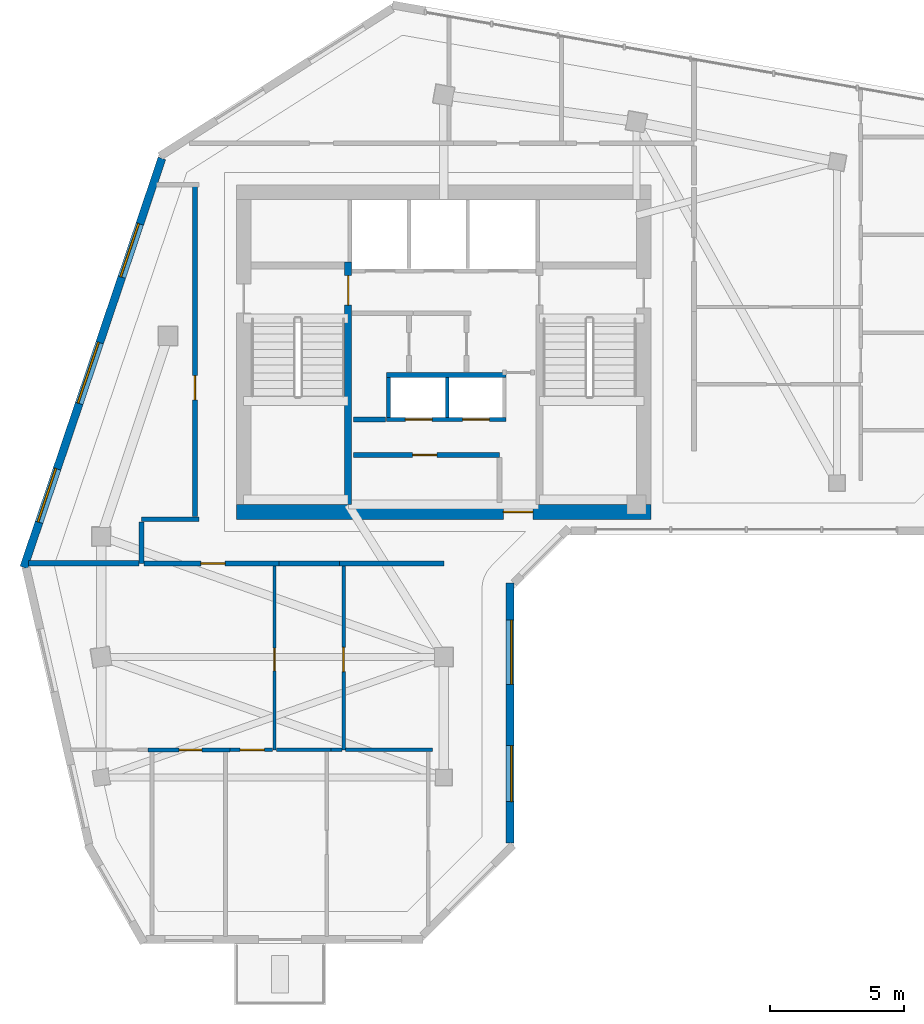
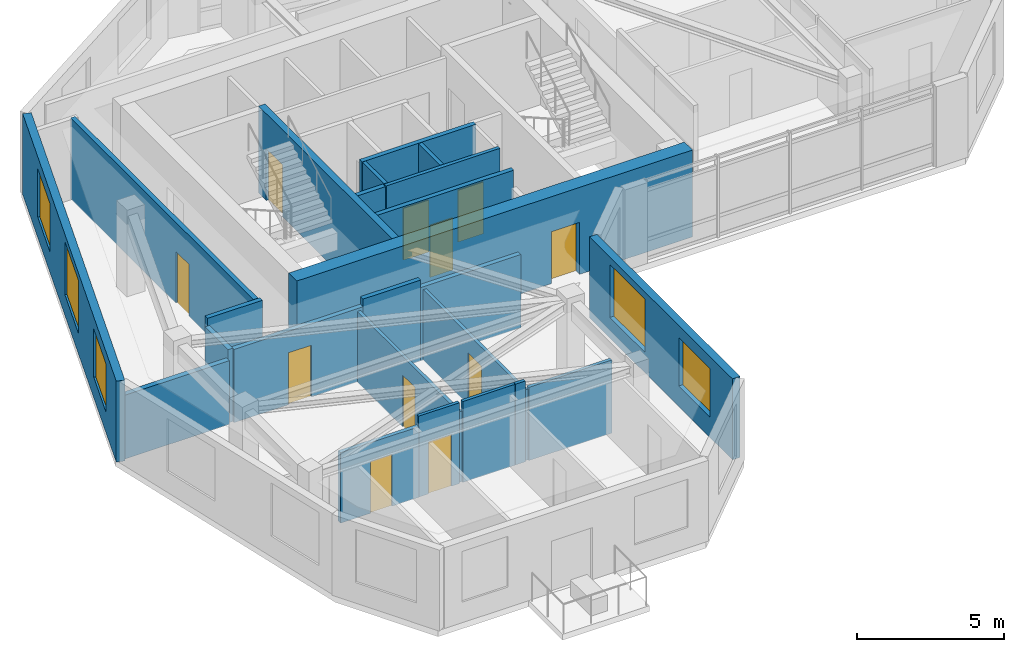
# One storey, part 4 of 10: 24 walls, 11 doors, 5 windows, 16 openings.
"""IFC4 building model written with IfcOpenShell, lengths in metres."""

from ifc_helpers import new_model, si_unit, direction, frame, frame_2d, origin, place, context, subcontext, project, spatial, rectangle, extrude, source, transform, mapped, material, layer, layer_set, type_object, element, fill, save


model = new_model("IFC4")

# Units and contexts
model_context = context("Model", 3, precision=1e-05, world=origin(), true_north=direction((0.0, 1.0)))
body_context = subcontext(model_context, "Body", "Model", "MODEL_VIEW")
ifc_project = project(units=[si_unit("LENGTHUNIT", "METRE"), si_unit("AREAUNIT", "SQUARE_METRE"), si_unit("VOLUMEUNIT", "CUBIC_METRE"), si_unit("PLANEANGLEUNIT", "RADIAN"), si_unit("MASSUNIT", "GRAM", prefix="KILO")], contexts=[model_context])

# Site, building, storey
site_placement = place(None, origin())
site = spatial("IfcSite", under=ifc_project, at=site_placement, CompositionType="ELEMENT")
building_placement = place(site_placement, origin())
building = spatial("IfcBuilding", under=site, at=building_placement, Name="Calvemar Wedge Station Tower", CompositionType="ELEMENT")
storey_placement = place(building_placement, frame((0.0, 0.0, 256.5)))
storey = spatial("IfcBuildingStorey", under=building, at=storey_placement, Name="L65", CompositionType="ELEMENT", Elevation=256.5)

# Wall, opening, door
ifc_material_1 = material(Name="Concrete C50", Category="concrete")
ifc_layer_1 = layer(ifc_material_1, 0.260009765625)
ifc_layer_set_1 = layer_set([ifc_layer_1], Name="Concrete C50")
wall_type_1 = type_object("IfcWallType", Name="SW-CORE-260", PredefinedType="SHEAR", material=ifc_layer_set_1)
wall_1_placement = place(storey_placement, frame((20.22998046875, 34.199951171875, 0.0), z_axis=(0.0, 0.0, 1.0), x_axis=(0.0, 1.0, 0.0)))
wall_1 = element("IfcWall", 1, at=wall_1_placement, inside=storey, type_object=wall_type_1, Name="Storey L65 Core Shear Wall SPINE-W", PredefinedType="SHEAR", context=body_context, shape_type="SweptSolid", body=[
    extrude(rectangle(XDim=9.06005859375, YDim=0.260009765625, at=frame_2d((4.530029296875, 0.0))), origin(), (0.0, 0.0, 1.0), 3.60009765625),
])
shared_shape_1 = source(origin(), body_context, "Body", "SweptSolid", [
    extrude(rectangle(XDim=1.10009765625, YDim=2.14990234375, at=frame_2d((0.550048828125, 1.074951171875))), frame((0.0, 0.14013671875, 0.0), z_axis=(0.0, -1.0, 0.0), x_axis=(1.0, 0.0, 0.0)), (0.0, 0.0, 1.0), 0.280029296875),
])
opening_1_placement = place(wall_1_placement, frame((7.449951171875, 0.0, 0.0)))
opening_1 = element("IfcOpeningElement", 2, at=opening_1_placement, cuts=wall_1, Name="Opening FD-90", PredefinedType="OPENING", context=body_context, shape_type="MappedRepresentation", body=[
    mapped(shared_shape_1, transform((0.0, 0.0, 0.0), scale=1.0)),
])
ifc_material_2 = material(Name="Galvanized fire-rated steel door leaf P-90", Category="steel")
door_type_1 = type_object("IfcDoorType", Name="DR-FD90-1100", OperationType="NOTDEFINED", PredefinedType="DOOR", material=ifc_material_2)
shared_shape_2 = source(origin(), body_context, "Body", "SweptSolid", [
    extrude(rectangle(XDim=1.10009765625, YDim=2.14990234375, at=frame_2d((0.550048828125, 1.074951171875))), frame((0.0, 0.02490234375, 0.0), z_axis=(0.0, -1.0, 0.0), x_axis=(1.0, 0.0, 0.0)), (0.0, 0.0, 1.0), 0.050048828125),
])
door_1_placement = place(opening_1_placement, origin())
door_1 = element("IfcDoor", 3, at=door_1_placement, inside=storey, type_object=door_type_1, Name="L65 FF Lobby to Stair ST-C1 Door", OperationType="SINGLE_SWING_RIGHT", OverallHeight=2.14990234375, OverallWidth=1.10009765625, PredefinedType="DOOR", context=body_context, shape_type="MappedRepresentation", body=[
    mapped(shared_shape_2, transform((0.0, 0.0, 0.0), scale=1.0)),
])
fill(opening_1, door_1)

ifc_material_3 = material(Name="Concrete C60", Category="concrete")
ifc_layer_2 = layer(ifc_material_3, 0.550048828125)
ifc_layer_set_2 = layer_set([ifc_layer_2], Name="Concrete C60")
wall_type_2 = type_object("IfcWallType", Name="SW-CORE-550", PredefinedType="SHEAR", material=ifc_layer_set_2)
wall_2_placement = place(storey_placement, frame((16.050048828125, 33.925048828125, 0.0), z_axis=(0.0, 0.0, 1.0), x_axis=(1.0, 0.0, 0.0)))
wall_2 = element("IfcWall", 4, at=wall_2_placement, inside=storey, type_object=wall_type_2, Name="Storey L65 Core Shear Wall S", PredefinedType="SHEAR", context=body_context, shape_type="SweptSolid", body=[
    extrude(rectangle(XDim=15.5, YDim=0.550048828125, at=frame_2d((7.75, 0.0))), origin(), (0.0, 0.0, 1.0), 3.60009765625),
])
shared_shape_3 = source(origin(), body_context, "Body", "SweptSolid", [
    extrude(rectangle(XDim=1.10009765625, YDim=2.14990234375, at=frame_2d((0.550048828125, 1.074951171875))), frame((0.0, 0.28515625, 0.0), z_axis=(0.0, -1.0, 0.0), x_axis=(1.0, 0.0, 0.0)), (0.0, 0.0, 1.0), 0.570068359375),
])
opening_2_placement = place(wall_2_placement, frame((9.97998046875, 0.0, 0.0)))
opening_2 = element("IfcOpeningElement", 5, at=opening_2_placement, cuts=wall_2, Name="Opening FD-90", PredefinedType="OPENING", context=body_context, shape_type="MappedRepresentation", body=[
    mapped(shared_shape_3, transform((0.0, 0.0, 0.0), scale=1.0)),
])
door_2_placement = place(opening_2_placement, origin())
door_2 = element("IfcDoor", 6, at=door_2_placement, inside=storey, type_object=door_type_1, Name="L65 Passenger Lift Lobby Door", OperationType="SINGLE_SWING_RIGHT", OverallHeight=2.14990234375, OverallWidth=1.10009765625, PredefinedType="DOOR", context=body_context, shape_type="MappedRepresentation", body=[
    mapped(shared_shape_2, transform((0.0, 0.0, 0.0), scale=1.0)),
])
fill(opening_2, door_2)

# Wall
ifc_material_4 = material(Name="Double-stud fire-rated corridor partition")
ifc_layer_3 = layer(ifc_material_4, 0.179931640625)
ifc_layer_set_3 = layer_set([ifc_layer_3], Name="Double-stud fire-rated corridor partition")
wall_type_3 = type_object("IfcWallType", Name="W-CORR-180", PredefinedType="PARTITIONING", material=ifc_layer_set_3)
wall_3_placement = place(storey_placement, frame((21.6298828125, 37.3798828125, 0.0), z_axis=(0.0, 0.0, 1.0), x_axis=(-1.0, 0.0, 0.0)))
element("IfcWall", 7, at=wall_3_placement, inside=storey, type_object=wall_type_3, Name="Storey L65 Interior Partition WL-L65-004", PredefinedType="PARTITIONING", context=body_context, shape_type="SweptSolid", body=[
    extrude(rectangle(XDim=1.2099609375, YDim=0.179931640625, at=frame_2d((0.60498046875, 0.0))), origin(), (0.0, 0.0, 1.0), 3.35009765625),
])

# Wall, opening, door
wall_4_placement = place(storey_placement, frame((20.419921875, 36.050048828125, 0.0), z_axis=(0.0, 0.0, 1.0), x_axis=(1.0, 0.0, 0.0)))
wall_4 = element("IfcWall", 8, at=wall_4_placement, inside=storey, type_object=wall_type_3, Name="Storey L65 Interior Partition WL-L65-007", PredefinedType="PARTITIONING", context=body_context, shape_type="SweptSolid", body=[
    extrude(rectangle(XDim=5.4599609375, YDim=0.179931640625, at=frame_2d((2.72998046875, 0.0))), origin(), (0.0, 0.0, 1.0), 3.35009765625),
])
shared_shape_4 = source(origin(), body_context, "Body", "SweptSolid", [
    extrude(rectangle(XDim=0.89990234375, YDim=2.14990234375, at=frame_2d((0.449951171875, 1.074951171875))), frame((0.0, 0.10009765625, 0.0), z_axis=(0.0, -1.0, 0.0), x_axis=(1.0, 0.0, 0.0)), (0.0, 0.0, 1.0), 0.199951171875),
])
opening_3_placement = place(wall_4_placement, frame((2.219482421875, 0.0, 0.0)))
opening_3 = element("IfcOpeningElement", 9, at=opening_3_placement, cuts=wall_4, Name="Opening FD-60", PredefinedType="OPENING", context=body_context, shape_type="MappedRepresentation", body=[
    mapped(shared_shape_4, transform((0.0, 0.0, 0.0), scale=1.0)),
])
ifc_material_5 = material(Name="Fire-rated acoustic timber-core entrance door EI 60", Category="wood")
door_type_2 = type_object("IfcDoorType", Name="DR-FD60-900", OperationType="NOTDEFINED", PredefinedType="DOOR", material=ifc_material_5)
shared_shape_5 = source(origin(), body_context, "Body", "SweptSolid", [
    extrude(rectangle(XDim=0.89990234375, YDim=2.14990234375, at=frame_2d((0.449951171875, 1.074951171875))), frame((0.0, 0.02490234375, 0.0), z_axis=(0.0, -1.0, 0.0), x_axis=(1.0, 0.0, 0.0)), (0.0, 0.0, 1.0), 0.050048828125),
])
door_3_placement = place(opening_3_placement, origin())
door_3 = element("IfcDoor", 10, at=door_3_placement, inside=storey, type_object=door_type_2, Name="L65 Wine and Parcel Store Door", OperationType="SINGLE_SWING_RIGHT", OverallHeight=2.14990234375, OverallWidth=0.89990234375, PredefinedType="DOOR", context=body_context, shape_type="MappedRepresentation", body=[
    mapped(shared_shape_5, transform((0.0, 0.0, 0.0), scale=1.0)),
])
fill(opening_3, door_3)

# Walls
wall_5_placement = place(storey_placement, frame((12.5, 33.64990234375, 0.0), z_axis=(0.0, 0.0, 1.0), x_axis=(1.0, 0.0, 0.0)))
element("IfcWall", 11, at=wall_5_placement, inside=storey, type_object=wall_type_3, Name="Storey L65 Interior Partition WL-L65-009", PredefinedType="PARTITIONING", context=body_context, shape_type="SweptSolid", body=[
    extrude(rectangle(XDim=2.159912109375, YDim=0.179931640625, at=frame_2d((1.080078125, 0.0))), origin(), (0.0, 0.0, 1.0), 3.35009765625),
])
wall_6_placement = place(storey_placement, frame((12.5, 32.0, 0.0), z_axis=(0.0, 0.0, 1.0), x_axis=(0.0, 1.0, 0.0)))
element("IfcWall", 12, at=wall_6_placement, inside=storey, type_object=wall_type_3, Name="Storey L65 Interior Partition WL-L65-010", PredefinedType="PARTITIONING", context=body_context, shape_type="SweptSolid", body=[
    extrude(rectangle(XDim=1.555908203125, YDim=0.179931640625, at=frame_2d((0.77783203125, 0.0))), origin(), (0.0, 0.0, 1.0), 3.033935546875),
])
wall_7_placement = place(storey_placement, frame((23.818115234375, 32.0, 0.0), z_axis=(0.0, 0.0, 1.0), x_axis=(-1.0, 0.0, 0.0)))
element("IfcWall", 13, at=wall_7_placement, inside=storey, type_object=wall_type_3, Name="Storey L65 Interior Partition WL-L65-011", PredefinedType="PARTITIONING", context=body_context, shape_type="SweptSolid", body=[
    extrude(rectangle(XDim=3.920166015625, YDim=0.179931640625, at=frame_2d((1.9599609375, 0.0))), origin(), (0.0, 0.0, 1.0), 3.033935546875),
])

# Wall, opening, door
wall_8_placement = place(storey_placement, frame((17.635009765625, 32.0, 0.0), z_axis=(0.0, 0.0, 1.0), x_axis=(-1.0, 0.0, 0.0)))
wall_8 = element("IfcWall", 14, at=wall_8_placement, inside=storey, type_object=wall_type_3, Name="Storey L65 Interior Partition WL-L65-012", PredefinedType="PARTITIONING", context=body_context, shape_type="SweptSolid", body=[
    extrude(rectangle(XDim=5.041015625, YDim=0.179931640625, at=frame_2d((2.5205078125, 0.0))), origin(), (0.0, 0.0, 1.0), 3.033935546875),
])
opening_4_placement = place(wall_8_placement, frame((2.0087890625, 0.0, 0.0)))
opening_4 = element("IfcOpeningElement", 15, at=opening_4_placement, cuts=wall_8, Name="Opening FD-60", PredefinedType="OPENING", context=body_context, shape_type="MappedRepresentation", body=[
    mapped(shared_shape_4, transform((0.0, 0.0, 0.0), scale=1.0)),
])
door_4_placement = place(opening_4_placement, origin())
door_4 = element("IfcDoor", 16, at=door_4_placement, inside=storey, type_object=door_type_2, Name="L65 Living Dining Door", OperationType="SINGLE_SWING_RIGHT", OverallHeight=2.14990234375, OverallWidth=0.89990234375, PredefinedType="DOOR", context=body_context, shape_type="MappedRepresentation", body=[
    mapped(shared_shape_5, transform((0.0, 0.0, 0.0), scale=1.0)),
])
fill(opening_4, door_4)

# Wall
wall_9_placement = place(storey_placement, frame((19.89599609375, 32.0, 0.0), z_axis=(0.0, 0.0, 1.0), x_axis=(-1.0, 0.0, 0.0)))
element("IfcWall", 17, at=wall_9_placement, inside=storey, type_object=wall_type_3, Name="Storey L65 Interior Partition WL-L65-013", PredefinedType="PARTITIONING", context=body_context, shape_type="SweptSolid", body=[
    extrude(rectangle(XDim=2.259033203125, YDim=0.179931640625, at=frame_2d((1.12939453125, 0.0))), origin(), (0.0, 0.0, 1.0), 3.35009765625),
])

# Wall, opening, door
wall_10_placement = place(storey_placement, frame((14.5, 33.743896484375, 0.0), z_axis=(0.0, 0.0, 1.0), x_axis=(0.0, 1.0, 0.0)))
wall_10 = element("IfcWall", 18, at=wall_10_placement, inside=storey, type_object=wall_type_3, Name="Storey L65 Interior Partition WL-L65-014", PredefinedType="PARTITIONING", context=body_context, shape_type="SweptSolid", body=[
    extrude(rectangle(XDim=12.406005859375, YDim=0.179931640625, at=frame_2d((6.203125, 0.0))), origin(), (0.0, 0.0, 1.0), 3.35009765625),
])
opening_5_placement = place(wall_10_placement, frame((4.36962890625, 0.0, 0.0)))
opening_5 = element("IfcOpeningElement", 19, at=opening_5_placement, cuts=wall_10, Name="Opening D-01", PredefinedType="OPENING", context=body_context, shape_type="MappedRepresentation", body=[
    mapped(shared_shape_4, transform((0.0, 0.0, 0.0), scale=1.0)),
])
ifc_material_6 = material(Name="Architectural hardwood acoustic swing door", Category="wood")
door_type_3 = type_object("IfcDoorType", Name="DR-INT-900", OperationType="NOTDEFINED", PredefinedType="DOOR", material=ifc_material_6)
shared_shape_6 = source(origin(), body_context, "Body", "SweptSolid", [
    extrude(rectangle(XDim=0.89990234375, YDim=2.14990234375, at=frame_2d((0.449951171875, 1.074951171875))), frame((0.0, 0.02490234375, 0.0), z_axis=(0.0, -1.0, 0.0), x_axis=(1.0, 0.0, 0.0)), (0.0, 0.0, 1.0), 0.050048828125),
])
door_5_placement = place(opening_5_placement, origin())
door_5 = element("IfcDoor", 20, at=door_5_placement, inside=storey, type_object=door_type_3, Name="L65 Resident Reading Lounge Door", OperationType="SINGLE_SWING_LEFT", OverallHeight=2.14990234375, OverallWidth=0.89990234375, PredefinedType="DOOR", context=body_context, shape_type="MappedRepresentation", body=[
    mapped(shared_shape_6, transform((0.0, 0.0, 0.0), scale=1.0)),
])
fill(opening_5, door_5)

# Wall
ifc_material_7 = material(Name="Twin-stud fire-rated inter-tenancy wall")
ifc_layer_4 = layer(ifc_material_7, 0.199951171875)
ifc_layer_set_4 = layer_set([ifc_layer_4], Name="Twin-stud fire-rated inter-tenancy wall")
wall_type_4 = type_object("IfcWallType", Name="W-DEMISE-200", PredefinedType="PARTITIONING", material=ifc_layer_set_4)
wall_11_placement = place(storey_placement, frame((12.406005859375, 32.0, 0.0), z_axis=(0.0, 0.0, 1.0), x_axis=(-1.0, 0.0, 0.0)))
element("IfcWall", 21, at=wall_11_placement, inside=storey, type_object=wall_type_4, Name="Storey L65 Interior Partition WL-L65-023", PredefinedType="PARTITIONING", context=body_context, shape_type="SweptSolid", body=[
    extrude(rectangle(XDim=4.126220703125, YDim=0.199951171875, at=frame_2d((2.06298828125, 0.0))), origin(), (0.0, 0.0, 1.0), 2.64208984375),
])

# Wall, openings, windows
ifc_material_8 = material(Name="Precast concrete C45", Category="concrete")
ifc_layer_5 = layer(ifc_material_8, 0.300048828125)
ifc_layer_set_5 = layer_set([ifc_layer_5], Name="Precast concrete C45")
wall_type_5 = type_object("IfcWallType", Name="W-EXT-GFRC-300", PredefinedType="SOLIDWALL", material=ifc_layer_set_5)
wall_12_placement = place(storey_placement, frame((26.281982421875, 21.557373046875, 0.0), z_axis=(0.0, 0.0, 1.0), x_axis=(0.0, 1.0, 0.0)))
wall_12 = element("IfcWall", 22, at=wall_12_placement, inside=storey, type_object=wall_type_5, Name="Storey L65 Bronze GFRC Exterior Wall 4", PredefinedType="SOLIDWALL", context=body_context, shape_type="SweptSolid", body=[
    extrude(rectangle(XDim=9.710693359375, YDim=0.300048828125, at=frame_2d((4.85546875, 0.0))), origin(), (0.0, 0.0, 1.0), 3.35009765625),
])
shared_shape_7 = source(origin(), body_context, "Body", "SweptSolid", [
    extrude(rectangle(XDim=2.10009765625, YDim=2.0, at=frame_2d((1.050048828125, 1.0))), frame((0.0, 0.16015625, 0.0), z_axis=(0.0, -1.0, 0.0), x_axis=(1.0, 0.0, 0.0)), (0.0, 0.0, 1.0), 0.320068359375),
])
opening_6_placement = place(wall_12_placement, frame((1.5380859375, 0.0, 0.85009765625)))
opening_6 = element("IfcOpeningElement", 23, at=opening_6_placement, cuts=wall_12, Name="Opening W4", PredefinedType="OPENING", context=body_context, shape_type="MappedRepresentation", body=[
    mapped(shared_shape_7, transform((0.0, 0.0, 0.0), scale=1.0)),
])
shared_shape_8 = source(origin(), body_context, "Body", "SweptSolid", [
    extrude(rectangle(XDim=2.39990234375, YDim=2.199951171875, at=frame_2d((1.199951171875, 1.10009765625))), frame((0.0, 0.16015625, 0.0), z_axis=(0.0, -1.0, 0.0), x_axis=(1.0, 0.0, 0.0)), (0.0, 0.0, 1.0), 0.320068359375),
])
opening_7_placement = place(wall_12_placement, frame((5.923095703125, 0.0, 0.85009765625)))
opening_7 = element("IfcOpeningElement", 24, at=opening_7_placement, cuts=wall_12, Name="Opening W1", PredefinedType="OPENING", context=body_context, shape_type="MappedRepresentation", body=[
    mapped(shared_shape_8, transform((0.0, 0.0, 0.0), scale=1.0)),
])
ifc_material_9 = material(Name="Low-E laminated insulated glass", Category="glass")
window_type_1 = type_object("IfcWindowType", Name="WIN-EXT-4", PartitioningType="SINGLE_PANEL", PredefinedType="WINDOW", material=ifc_material_9)
shared_shape_9 = source(origin(), body_context, "Body", "SweptSolid", [
    extrude(rectangle(XDim=2.10009765625, YDim=2.0, at=frame_2d((1.050048828125, 1.0))), frame((0.0, -0.014892578125, 0.0), z_axis=(0.0, -1.0, 0.0), x_axis=(1.0, 0.0, 0.0)), (0.0, 0.0, 1.0), 0.06005859375),
])
window_1_placement = place(opening_6_placement, origin())
window_1 = element("IfcWindow", 25, at=window_1_placement, inside=storey, type_object=window_type_1, Name="Storey L65 Recessed Window 4.1", OverallHeight=2.0, OverallWidth=2.10009765625, PartitioningType="SINGLE_PANEL", PredefinedType="WINDOW", context=body_context, shape_type="MappedRepresentation", body=[
    mapped(shared_shape_9, transform((0.0, 0.0, 0.0), scale=1.0)),
])
fill(opening_6, window_1)
window_type_2 = type_object("IfcWindowType", Name="WIN-EXT-1", PartitioningType="SINGLE_PANEL", PredefinedType="WINDOW", material=ifc_material_9)
shared_shape_10 = source(origin(), body_context, "Body", "SweptSolid", [
    extrude(rectangle(XDim=2.39990234375, YDim=2.199951171875, at=frame_2d((1.199951171875, 1.10009765625))), frame((0.0, -0.014892578125, 0.0), z_axis=(0.0, -1.0, 0.0), x_axis=(1.0, 0.0, 0.0)), (0.0, 0.0, 1.0), 0.06005859375),
])
window_2_placement = place(opening_7_placement, origin())
window_2 = element("IfcWindow", 26, at=window_2_placement, inside=storey, type_object=window_type_2, Name="Storey L65 Recessed Window 4.2", OverallHeight=2.199951171875, OverallWidth=2.39990234375, PartitioningType="SINGLE_PANEL", PredefinedType="WINDOW", context=body_context, shape_type="MappedRepresentation", body=[
    mapped(shared_shape_10, transform((0.0, 0.0, 0.0), scale=1.0)),
])
fill(opening_7, window_2)

wall_13_placement = place(storey_placement, frame((13.2685546875, 47.1337890625, 0.0), z_axis=(0.0, 0.0, 1.0), x_axis=(-0.3199211297, -0.947444178182, 0.0)))
wall_13 = element("IfcWall", 27, at=wall_13_placement, inside=storey, type_object=wall_type_5, Name="Storey L65 Bronze GFRC Exterior Wall 12", PredefinedType="SOLIDWALL", context=body_context, shape_type="SweptSolid", body=[
    extrude(rectangle(XDim=16.1318359375, YDim=0.300048828125, at=frame_2d((8.06591796875, 0.0))), origin(), (0.0, 0.0, 1.0), 3.35009765625),
])
opening_8_placement = place(wall_13_placement, frame((2.5849609375, 0.0, 0.85009765625)))
opening_8 = element("IfcOpeningElement", 28, at=opening_8_placement, cuts=wall_13, Name="Opening W4", PredefinedType="OPENING", context=body_context, shape_type="MappedRepresentation", body=[
    mapped(shared_shape_7, transform((0.0, 0.0, 0.0), scale=1.0)),
])
opening_9_placement = place(wall_13_placement, frame((7.26708984375, 0.0, 0.85009765625)))
opening_9 = element("IfcOpeningElement", 29, at=opening_9_placement, cuts=wall_13, Name="Opening W1", PredefinedType="OPENING", context=body_context, shape_type="MappedRepresentation", body=[
    mapped(shared_shape_8, transform((0.0, 0.0, 0.0), scale=1.0)),
])
opening_10_placement = place(wall_13_placement, frame((12.2490234375, 0.0, 0.85009765625)))
opening_10 = element("IfcOpeningElement", 30, at=opening_10_placement, cuts=wall_13, Name="Opening W4", PredefinedType="OPENING", context=body_context, shape_type="MappedRepresentation", body=[
    mapped(shared_shape_7, transform((0.0, 0.0, 0.0), scale=1.0)),
])
window_3_placement = place(opening_8_placement, origin())
window_3 = element("IfcWindow", 31, at=window_3_placement, inside=storey, type_object=window_type_1, Name="Storey L65 Recessed Window 12.1", OverallHeight=2.0, OverallWidth=2.10009765625, PartitioningType="SINGLE_PANEL", PredefinedType="WINDOW", context=body_context, shape_type="MappedRepresentation", body=[
    mapped(shared_shape_9, transform((0.0, 0.0, 0.0), scale=1.0)),
])
fill(opening_8, window_3)
window_4_placement = place(opening_10_placement, origin())
window_4 = element("IfcWindow", 32, at=window_4_placement, inside=storey, type_object=window_type_1, Name="Storey L65 Recessed Window 12.3", OverallHeight=2.0, OverallWidth=2.10009765625, PartitioningType="SINGLE_PANEL", PredefinedType="WINDOW", context=body_context, shape_type="MappedRepresentation", body=[
    mapped(shared_shape_9, transform((0.0, 0.0, 0.0), scale=1.0)),
])
fill(opening_10, window_4)
window_5_placement = place(opening_9_placement, origin())
window_5 = element("IfcWindow", 33, at=window_5_placement, inside=storey, type_object=window_type_2, Name="Storey L65 Recessed Window 12.2", OverallHeight=2.199951171875, OverallWidth=2.39990234375, PartitioningType="SINGLE_PANEL", PredefinedType="WINDOW", context=body_context, shape_type="MappedRepresentation", body=[
    mapped(shared_shape_10, transform((0.0, 0.0, 0.0), scale=1.0)),
])
fill(opening_9, window_5)

# Wall, openings, doors
ifc_material_10 = material(Name="Reinforced concrete blockwork lift shaft wall", Category="masonry")
ifc_layer_6 = layer(ifc_material_10, 0.139892578125)
ifc_layer_set_6 = layer_set([ifc_layer_6], Name="Reinforced concrete blockwork lift shaft wall")
wall_type_6 = type_object("IfcWallType", Name="W-LIFT-160", PredefinedType="SOLIDWALL", material=ifc_layer_set_6)
wall_14_placement = place(storey_placement, frame((21.669921875, 37.3798828125, 0.0), z_axis=(0.0, 0.0, 1.0), x_axis=(1.0, 0.0, 0.0)))
wall_14 = element("IfcWall", 34, at=wall_14_placement, inside=storey, type_object=wall_type_6, Name="Storey L65 Upper Passenger Lift Bank Front Wall", PredefinedType="SOLIDWALL", context=body_context, shape_type="SweptSolid", body=[
    extrude(rectangle(XDim=4.4599609375, YDim=0.139892578125, at=frame_2d((2.22998046875, 0.0))), origin(), (0.0, 0.0, 1.0), 3.35009765625),
])
shared_shape_11 = source(origin(), body_context, "Body", "SweptSolid", [
    extrude(rectangle(XDim=1.0, YDim=2.14990234375, at=frame_2d((0.5, 1.074951171875))), frame((0.0, 0.080078125, 0.0), z_axis=(0.0, -1.0, 0.0), x_axis=(1.0, 0.0, 0.0)), (0.0, 0.0, 1.0), 0.159912109375),
])
opening_11_placement = place(wall_14_placement, frame((0.695068359375, 0.0, 0.0)))
opening_11 = element("IfcOpeningElement", 35, at=opening_11_placement, cuts=wall_14, Name="Opening LD-PAX", PredefinedType="OPENING", context=body_context, shape_type="MappedRepresentation", body=[
    mapped(shared_shape_11, transform((0.0, 0.0, 0.0), scale=1.0)),
])
opening_12_placement = place(wall_14_placement, frame((2.8349609375, 0.0, 0.0)))
opening_12 = element("IfcOpeningElement", 36, at=opening_12_placement, cuts=wall_14, Name="Opening LD-PAX", PredefinedType="OPENING", context=body_context, shape_type="MappedRepresentation", body=[
    mapped(shared_shape_11, transform((0.0, 0.0, 0.0), scale=1.0)),
])
ifc_material_11 = material(Name="Anodised bronze passenger lift sliding landing door")
door_type_4 = type_object("IfcDoorType", Name="DR-LD-PAX-1000", OperationType="SLIDING_TO_LEFT", PredefinedType="DOOR", material=ifc_material_11)
shared_shape_12 = source(origin(), body_context, "Body", "SweptSolid", [
    extrude(rectangle(XDim=1.0, YDim=2.14990234375, at=frame_2d((0.5, 1.074951171875))), frame((0.0, 0.02490234375, 0.0), z_axis=(0.0, -1.0, 0.0), x_axis=(1.0, 0.0, 0.0)), (0.0, 0.0, 1.0), 0.050048828125),
])
door_6_placement = place(opening_11_placement, origin())
door_6 = element("IfcDoor", 37, at=door_6_placement, inside=storey, type_object=door_type_4, Name="L65 Lift RH-02 Sliding Landing Door", OperationType="SLIDING_TO_RIGHT", OverallHeight=2.14990234375, OverallWidth=1.0, PredefinedType="DOOR", context=body_context, shape_type="MappedRepresentation", body=[
    mapped(shared_shape_12, transform((0.0, 0.0, 0.0), scale=1.0)),
])
fill(opening_11, door_6)
door_7_placement = place(opening_12_placement, origin())
door_7 = element("IfcDoor", 38, at=door_7_placement, inside=storey, type_object=door_type_4, Name="L65 Lift RH-03 Sliding Landing Door", OperationType="SLIDING_TO_LEFT", OverallHeight=2.14990234375, OverallWidth=1.0, PredefinedType="DOOR", context=body_context, shape_type="MappedRepresentation", body=[
    mapped(shared_shape_12, transform((0.0, 0.0, 0.0), scale=1.0)),
])
fill(opening_12, door_7)

# Walls
for number, where, z_axis, x_axis, name in (
    (39, (21.739990234375, 37.4599609375, 0.0), (0.0, 0.0, 1.0), (0.0, 1.0, 0.0), "Storey L65 Upper Passenger Lift Shaft Wall W"),
    (40, (23.93505859375, 37.4599609375, 0.0), (0.0, 0.0, 1.0), (0.0, 1.0, 0.0), "Storey L65 Upper Passenger Lift Shaft Wall D1"),
):
    element("IfcWall", number, at=place(storey_placement, frame(where, z_axis=z_axis, x_axis=x_axis)), inside=storey, type_object=wall_type_6, Name=name, PredefinedType="SOLIDWALL", context=body_context, shape_type="SweptSolid", body=[
        extrude(rectangle(XDim=1.47998046875, YDim=0.139892578125, at=frame_2d((0.739990234375, 0.0))), origin(), (0.0, 0.0, 1.0), 3.35009765625),
    ])

# Wall, opening, door
ifc_material_12 = material(Name="Insulated acoustic gypsum stud partition")
ifc_layer_7 = layer(ifc_material_12, 0.125)
ifc_layer_set_7 = layer_set([ifc_layer_7], Name="Insulated acoustic gypsum stud partition")
wall_type_7 = type_object("IfcWallType", Name="W-PART-125", PredefinedType="PARTITIONING", material=ifc_layer_set_7)
wall_15_placement = place(storey_placement, frame((20.05810546875, 25.031982421875, 0.0), z_axis=(0.0, 0.0, 1.0), x_axis=(0.0, 1.0, 0.0)))
wall_15 = element("IfcWall", 41, at=wall_15_placement, inside=storey, type_object=wall_type_7, Name="Storey L65 Interior Partition WL-L65-040", PredefinedType="PARTITIONING", context=body_context, shape_type="SweptSolid", body=[
    extrude(rectangle(XDim=6.8740234375, YDim=0.125, at=frame_2d((3.43701171875, 0.0))), origin(), (0.0, 0.0, 1.0), 2.922119140625),
])
shared_shape_13 = source(origin(), body_context, "Body", "SweptSolid", [
    extrude(rectangle(XDim=0.89990234375, YDim=2.14990234375, at=frame_2d((0.449951171875, 1.074951171875))), frame((0.0, 0.072509765625, 0.0), z_axis=(0.0, -1.0, 0.0), x_axis=(1.0, 0.0, 0.0)), (0.0, 0.0, 1.0), 0.14501953125),
])
opening_13_placement = place(wall_15_placement, frame((2.9267578125, 0.0, 0.0)))
opening_13 = element("IfcOpeningElement", 42, at=opening_13_placement, cuts=wall_15, Name="Opening D-01", PredefinedType="OPENING", context=body_context, shape_type="MappedRepresentation", body=[
    mapped(shared_shape_13, transform((0.0, 0.0, 0.0), scale=1.0)),
])
door_8_placement = place(opening_13_placement, origin())
door_8 = element("IfcDoor", 43, at=door_8_placement, inside=storey, type_object=door_type_3, Name="L65 Study Door", OperationType="SINGLE_SWING_LEFT", OverallHeight=2.14990234375, OverallWidth=0.89990234375, PredefinedType="DOOR", context=body_context, shape_type="MappedRepresentation", body=[
    mapped(shared_shape_6, transform((0.0, 0.0, 0.0), scale=1.0)),
])
fill(opening_13, door_8)

# Wall
wall_16_placement = place(storey_placement, frame((23.376953125, 25.031982421875, 0.0), z_axis=(0.0, 0.0, 1.0), x_axis=(-1.0, 0.0, 0.0)))
element("IfcWall", 44, at=wall_16_placement, inside=storey, type_object=wall_type_7, Name="Storey L65 Interior Partition WL-L65-041", PredefinedType="PARTITIONING", context=body_context, shape_type="SweptSolid", body=[
    extrude(rectangle(XDim=3.25244140625, YDim=0.125, at=frame_2d((1.626220703125, 0.0))), origin(), (0.0, 0.0, 1.0), 3.033935546875),
])

# Wall, opening, door
wall_17_placement = place(storey_placement, frame((17.47509765625, 31.906005859375, 0.0), z_axis=(0.0, 0.0, 1.0), x_axis=(0.0, -1.0, 0.0)))
wall_17 = element("IfcWall", 45, at=wall_17_placement, inside=storey, type_object=wall_type_7, Name="Storey L65 Interior Partition WL-L65-042", PredefinedType="PARTITIONING", context=body_context, shape_type="SweptSolid", body=[
    extrude(rectangle(XDim=6.8740234375, YDim=0.125, at=frame_2d((3.43701171875, 0.0))), origin(), (0.0, 0.0, 1.0), 2.922119140625),
])
shared_shape_14 = source(origin(), body_context, "Body", "SweptSolid", [
    extrude(rectangle(XDim=0.85009765625, YDim=2.14990234375, at=frame_2d((0.425048828125, 1.074951171875))), frame((0.0, 0.072509765625, 0.0), z_axis=(0.0, -1.0, 0.0), x_axis=(1.0, 0.0, 0.0)), (0.0, 0.0, 1.0), 0.14501953125),
])
opening_14_placement = place(wall_17_placement, frame((3.07275390625, 0.0, 0.0)))
opening_14 = element("IfcOpeningElement", 46, at=opening_14_placement, cuts=wall_17, Name="Opening D-02", PredefinedType="OPENING", context=body_context, shape_type="MappedRepresentation", body=[
    mapped(shared_shape_14, transform((0.0, 0.0, 0.0), scale=1.0)),
])
ifc_material_13 = material(Name="Moisture-sealed bathroom hardwood swing door", Category="wood")
door_type_5 = type_object("IfcDoorType", Name="DR-WET-850", OperationType="NOTDEFINED", PredefinedType="DOOR", material=ifc_material_13)
shared_shape_15 = source(origin(), body_context, "Body", "SweptSolid", [
    extrude(rectangle(XDim=0.85009765625, YDim=2.14990234375, at=frame_2d((0.425048828125, 1.074951171875))), frame((0.0, 0.02490234375, 0.0), z_axis=(0.0, -1.0, 0.0), x_axis=(1.0, 0.0, 0.0)), (0.0, 0.0, 1.0), 0.050048828125),
])
door_9_placement = place(opening_14_placement, origin())
door_9 = element("IfcDoor", 47, at=door_9_placement, inside=storey, type_object=door_type_5, Name="L65 Kitchen Door", OperationType="SINGLE_SWING_LEFT", OverallHeight=2.14990234375, OverallWidth=0.85009765625, PredefinedType="DOOR", context=body_context, shape_type="MappedRepresentation", body=[
    mapped(shared_shape_15, transform((0.0, 0.0, 0.0), scale=1.0)),
])
fill(opening_14, door_9)

wall_18_placement = place(storey_placement, frame((17.408447265625, 25.031982421875, 0.0), z_axis=(0.0, 0.0, 1.0), x_axis=(-1.0, 0.0, 0.0)))
wall_18 = element("IfcWall", 48, at=wall_18_placement, inside=storey, type_object=wall_type_7, Name="Storey L65 Interior Partition WL-L65-045", PredefinedType="PARTITIONING", context=body_context, shape_type="SweptSolid", body=[
    extrude(rectangle(XDim=1.596435546875, YDim=0.125, at=frame_2d((0.79833984375, 0.0))), origin(), (0.0, 0.0, 1.0), 3.35009765625),
])
opening_15_placement = place(wall_18_placement, frame((0.314208984375, 0.0, 0.0)))
opening_15 = element("IfcOpeningElement", 49, at=opening_15_placement, cuts=wall_18, Name="Opening D-01", PredefinedType="OPENING", context=body_context, shape_type="MappedRepresentation", body=[
    mapped(shared_shape_13, transform((0.0, 0.0, 0.0), scale=1.0)),
])
door_10_placement = place(opening_15_placement, origin())
door_10 = element("IfcDoor", 50, at=door_10_placement, inside=storey, type_object=door_type_3, Name="L65 Master Bedroom Door", OperationType="SINGLE_SWING_RIGHT", OverallHeight=2.14990234375, OverallWidth=0.89990234375, PredefinedType="DOOR", context=body_context, shape_type="MappedRepresentation", body=[
    mapped(shared_shape_6, transform((0.0, 0.0, 0.0), scale=1.0)),
])
fill(opening_15, door_10)

# Walls
wall_19_placement = place(storey_placement, frame((19.593994140625, 25.031982421875, 0.0), z_axis=(0.0, 0.0, 1.0), x_axis=(-1.0, 0.0, 0.0)))
element("IfcWall", 51, at=wall_19_placement, inside=storey, type_object=wall_type_7, Name="Storey L65 Interior Partition WL-L65-046", PredefinedType="PARTITIONING", context=body_context, shape_type="SweptSolid", body=[
    extrude(rectangle(XDim=2.052490234375, YDim=0.125, at=frame_2d((1.0263671875, 0.0))), origin(), (0.0, 0.0, 1.0), 3.35009765625),
])
wall_20_placement = place(storey_placement, frame((19.991455078125, 25.031982421875, 0.0), z_axis=(0.0, 0.0, 1.0), x_axis=(-1.0, 0.0, 0.0)))
element("IfcWall", 52, at=wall_20_placement, inside=storey, type_object=wall_type_7, Name="Storey L65 Interior Partition WL-L65-047", PredefinedType="PARTITIONING", context=body_context, shape_type="SweptSolid", body=[
    extrude(rectangle(XDim=0.3955078125, YDim=0.125, at=frame_2d((0.19775390625, 0.0))), origin(), (0.0, 0.0, 1.0), 3.35009765625),
])
ifc_material_14 = material(Name="Concrete blockwork and fireboard shaft wall", Category="masonry")
ifc_layer_8 = layer(ifc_material_14, 0.199951171875)
ifc_layer_set_8 = layer_set([ifc_layer_8], Name="Concrete blockwork and fireboard shaft wall")
wall_type_8 = type_object("IfcWallType", Name="W-SHAFT-200", PredefinedType="SOLIDWALL", material=ifc_layer_set_8)
wall_21_placement = place(storey_placement, frame((21.669921875, 39.0400390625, 0.0), z_axis=(0.0, 0.0, 1.0), x_axis=(1.0, 0.0, 0.0)))
element("IfcWall", 53, at=wall_21_placement, inside=storey, type_object=wall_type_8, Name="Storey L65 Upper Passenger Lift Bank Rear Shaft Wall", PredefinedType="SOLIDWALL", context=body_context, shape_type="SweptSolid", body=[
    extrude(rectangle(XDim=4.4599609375, YDim=0.179931640625, at=frame_2d((2.22998046875, 0.0))), origin(), (0.0, 0.0, 1.0), 3.35009765625),
])

# Wall, opening, door
ifc_material_15 = material(Name="Moisture-resistant acoustic bathroom partition")
ifc_layer_9 = layer(ifc_material_15, 0.14990234375)
ifc_layer_set_9 = layer_set([ifc_layer_9], Name="Moisture-resistant acoustic bathroom partition")
wall_type_9 = type_object("IfcWallType", Name="W-WET-150", PredefinedType="PARTITIONING", material=ifc_layer_set_9)
wall_22_placement = place(storey_placement, frame((15.81005859375, 25.031982421875, 0.0), z_axis=(0.0, 0.0, 1.0), x_axis=(-1.0, 0.0, 0.0)))
wall_22 = element("IfcWall", 54, at=wall_22_placement, inside=storey, type_object=wall_type_9, Name="Storey L65 Interior Partition WL-L65-043", PredefinedType="PARTITIONING", context=body_context, shape_type="SweptSolid", body=[
    extrude(rectangle(XDim=3.070068359375, YDim=0.14990234375, at=frame_2d((1.53515625, 0.0))), origin(), (0.0, 0.0, 1.0), 2.922119140625),
])
shared_shape_16 = source(origin(), body_context, "Body", "SweptSolid", [
    extrude(rectangle(XDim=0.85009765625, YDim=2.14990234375, at=frame_2d((0.425048828125, 1.074951171875))), frame((0.0, 0.0849609375, 0.0), z_axis=(0.0, -1.0, 0.0), x_axis=(1.0, 0.0, 0.0)), (0.0, 0.0, 1.0), 0.169921875),
])
opening_16_placement = place(wall_22_placement, frame((1.046142578125, 0.0, 0.0)))
opening_16 = element("IfcOpeningElement", 55, at=opening_16_placement, cuts=wall_22, Name="Opening D-02", PredefinedType="OPENING", context=body_context, shape_type="MappedRepresentation", body=[
    mapped(shared_shape_16, transform((0.0, 0.0, 0.0), scale=1.0)),
])
door_11_placement = place(opening_16_placement, origin())
door_11 = element("IfcDoor", 56, at=door_11_placement, inside=storey, type_object=door_type_5, Name="L65 Bathroom Door", OperationType="SINGLE_SWING_RIGHT", OverallHeight=2.14990234375, OverallWidth=0.85009765625, PredefinedType="DOOR", context=body_context, shape_type="MappedRepresentation", body=[
    mapped(shared_shape_15, transform((0.0, 0.0, 0.0), scale=1.0)),
])
fill(opening_16, door_11)

save(model, "model.ifc")
